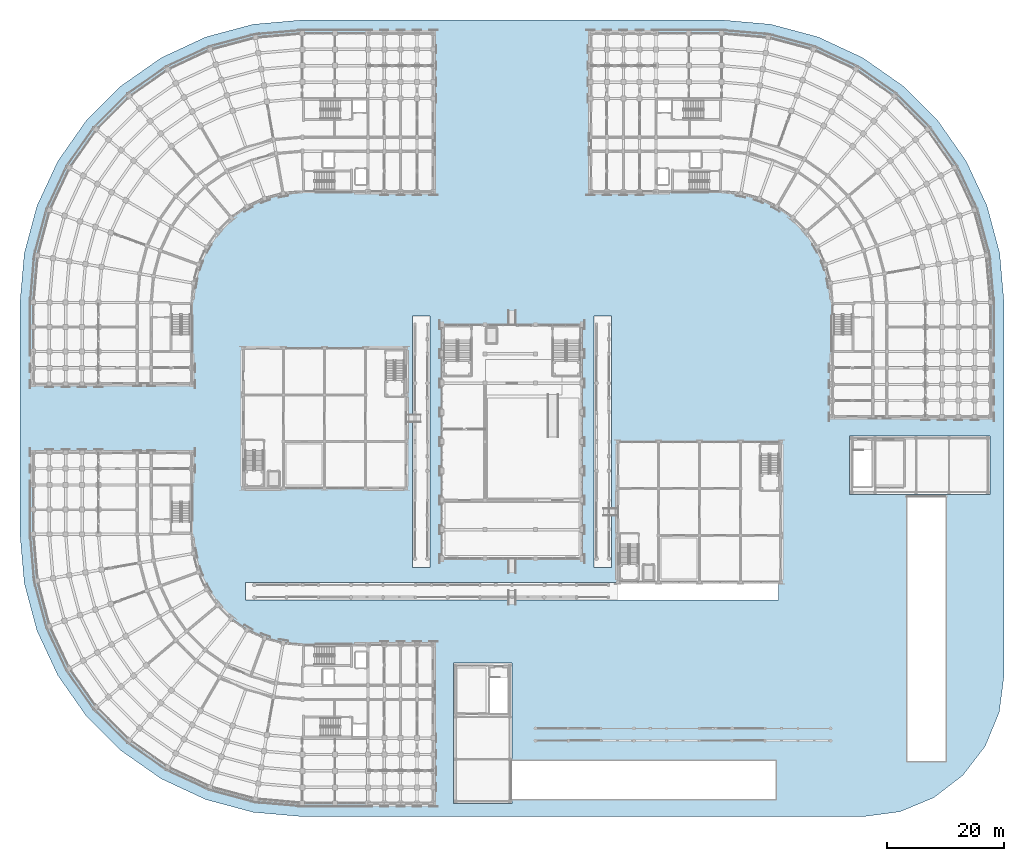
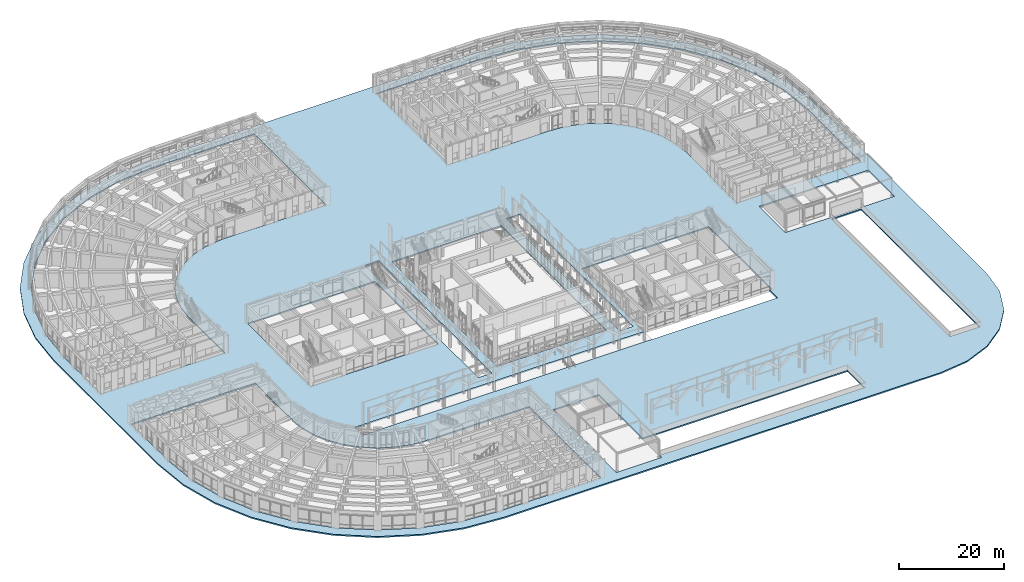
# One storey, part 68 of 135: 1 slab.
"""IFC4 building model written with IfcOpenShell, lengths in metres."""

from ifc_helpers import new_model, si_unit, direction, frame, origin, place, context, subcontext, project, spatial, polyline, outline, extrude, material, layer, layer_set, type_object, element, save


model = new_model("IFC4")

# Units and contexts
model_context = context("Model", 3, precision=1e-05, world=origin(), true_north=direction((0.0, 1.0)))
body_context = subcontext(model_context, "Body", "Model", "MODEL_VIEW")
ifc_project = project(units=[si_unit("LENGTHUNIT", "METRE"), si_unit("AREAUNIT", "SQUARE_METRE"), si_unit("VOLUMEUNIT", "CUBIC_METRE"), si_unit("PLANEANGLEUNIT", "RADIAN"), si_unit("MASSUNIT", "GRAM", prefix="KILO")], contexts=[model_context])

# Site, building, storey
site_placement = place(None, origin())
site = spatial("IfcSite", under=ifc_project, at=site_placement, CompositionType="ELEMENT")
building_placement = place(site_placement, origin())
building = spatial("IfcBuilding", under=site, at=building_placement, Name="Kiranvali Square Residences", CompositionType="ELEMENT")
storey_placement = place(building_placement, origin())
storey = spatial("IfcBuildingStorey", under=building, at=storey_placement, Name="L00", CompositionType="ELEMENT", Elevation=0.0)

# Slab
ifc_material = material(Name="Concrete M40 (40 MPa)", Category="concrete")
ifc_layer = layer(ifc_material, 0.300048828125)
ifc_layer_set = layer_set([ifc_layer], Name="Concrete M40 (40 MPa)")
slab_type = type_object("IfcSlabType", Name="SLB-POD-300", PredefinedType="FLOOR", material=ifc_layer_set)
slab_placement = place(storey_placement, frame((0.0, 0.0, -0.300048828125)))
element("IfcSlab", 1, at=slab_placement, inside=storey, type_object=slab_type, Name="Shaped street-perimeter promenade and fire-tender deck 1", PredefinedType="FLOOR", context=body_context, shape_type="SweptSolid", body=[
    extrude(outline(polyline([(0.0, 87.800048828125), (0.732177734375, 96.169921875), (2.90673828125, 104.285400390625), (6.45751953125, 111.89990234375), (11.276611328125, 118.782470703125), (17.217529296875, 124.723388671875), (24.10009765625, 129.54248046875), (31.714599609375, 133.09326171875), (39.830078125, 135.267822265625), (48.199951171875, 136.0), (119.800048828125, 136.0), (128.169921875, 135.267822265625), (136.285400390625, 133.09326171875), (143.89990234375, 129.54248046875), (150.782470703125, 124.723388671875), (156.723388671875, 118.782470703125), (161.54248046875, 111.89990234375), (165.09326171875, 104.285400390625), (167.267822265625, 96.169921875), (168.0, 87.800048828125), (168.0, 24.0), (167.18212890625, 17.788330078125), (164.78466796875, 12.0), (160.970458984375, 7.029541015625), (156.0, 3.21533203125), (150.211669921875, 0.81787109375), (144.0, 0.0), (48.199951171875, 0.0), (39.830078125, 0.732177734375), (31.714599609375, 2.90673828125), (24.10009765625, 6.45751953125), (17.217529296875, 11.276611328125), (11.276611328125, 17.217529296875), (6.45751953125, 24.10009765625), (2.90673828125, 31.714599609375), (0.732177734375, 39.830078125), (0.0, 48.199951171875), (0.0, 87.800048828125)]), holes=[polyline([(74.0, 26.199951171875), (74.0, 2.199951171875), (84.0, 2.199951171875), (84.0, 3.0), (129.0, 3.0), (129.0, 9.5), (84.0, 9.5), (84.0, 26.199951171875), (74.0, 26.199951171875)]), polyline([(48.199951171875, 2.199951171875), (70.60009765625, 2.199951171875), (70.60009765625, 29.39990234375), (48.199951171875, 29.39990234375), (44.935302734375, 29.685546875), (41.77001953125, 30.53369140625), (38.800048828125, 31.918701171875), (36.115478515625, 33.79833984375), (33.79833984375, 36.115478515625), (31.918701171875, 38.800048828125), (30.53369140625, 41.77001953125), (29.685546875, 44.935302734375), (29.39990234375, 48.199951171875), (29.39990234375, 62.199951171875), (2.199951171875, 62.199951171875), (2.199951171875, 48.199951171875), (2.89892578125, 40.212158203125), (4.97412109375, 32.467041015625), (8.36279296875, 25.199951171875), (12.9619140625, 18.6318359375), (18.6318359375, 12.9619140625), (25.199951171875, 8.36279296875), (32.467041015625, 4.97412109375), (40.212158203125, 2.89892578125), (48.199951171875, 2.199951171875)]), polyline([(129.5, 40.0), (130.0, 40.0), (130.0, 64.0), (102.0, 64.0), (102.0, 40.0), (38.5, 40.0), (38.5, 37.0), (129.5, 37.0), (129.5, 40.0)]), polyline([(67.0, 85.5), (67.0, 42.5), (70.0, 42.5), (70.0, 85.5), (67.0, 85.5)]), polyline([(96.0, 84.0), (72.0, 84.0), (72.0, 44.0), (96.0, 44.0), (96.0, 84.0)]), polyline([(66.0, 80.0), (38.0, 80.0), (38.0, 56.0), (66.0, 56.0), (66.0, 80.0)]), polyline([(44.935302734375, 106.314453125), (48.199951171875, 106.60009765625), (70.60009765625, 106.60009765625), (70.60009765625, 133.800048828125), (48.199951171875, 133.800048828125), (40.212158203125, 133.10107421875), (32.467041015625, 131.02587890625), (25.199951171875, 127.63720703125), (18.6318359375, 123.0380859375), (12.9619140625, 117.3681640625), (8.36279296875, 110.800048828125), (4.97412109375, 103.532958984375), (2.89892578125, 95.787841796875), (2.199951171875, 87.800048828125), (2.199951171875, 73.800048828125), (29.39990234375, 73.800048828125), (29.39990234375, 87.800048828125), (29.685546875, 91.064697265625), (30.53369140625, 94.22998046875), (31.918701171875, 97.199951171875), (33.79833984375, 99.884521484375), (36.115478515625, 102.20166015625), (38.800048828125, 104.081298828125), (41.77001953125, 105.46630859375), (44.935302734375, 106.314453125)]), polyline([(158.0, 54.5), (151.5, 54.5), (151.5, 9.5), (158.0, 9.5), (158.0, 54.5)]), polyline([(165.60009765625, 65.0), (141.60009765625, 65.0), (141.60009765625, 55.0), (165.60009765625, 55.0), (165.60009765625, 65.0)]), polyline([(101.0, 85.5), (98.0, 85.5), (98.0, 42.5), (101.0, 42.5), (101.0, 85.5)]), polyline([(119.800048828125, 133.800048828125), (97.39990234375, 133.800048828125), (97.39990234375, 106.60009765625), (119.800048828125, 106.60009765625), (123.064697265625, 106.314453125), (126.22998046875, 105.46630859375), (129.199951171875, 104.081298828125), (131.884521484375, 102.20166015625), (134.20166015625, 99.884521484375), (136.081298828125, 97.199951171875), (137.46630859375, 94.22998046875), (138.314453125, 91.064697265625), (138.60009765625, 87.800048828125), (138.60009765625, 68.199951171875), (165.800048828125, 68.199951171875), (165.800048828125, 87.800048828125), (165.10107421875, 95.787841796875), (163.02587890625, 103.532958984375), (159.63720703125, 110.800048828125), (155.0380859375, 117.3681640625), (149.3681640625, 123.0380859375), (142.800048828125, 127.63720703125), (135.532958984375, 131.02587890625), (127.787841796875, 133.10107421875), (119.800048828125, 133.800048828125)])]), origin(), (0.0, 0.0, 1.0), 0.300048828125),
])

save(model, "model.ifc")
